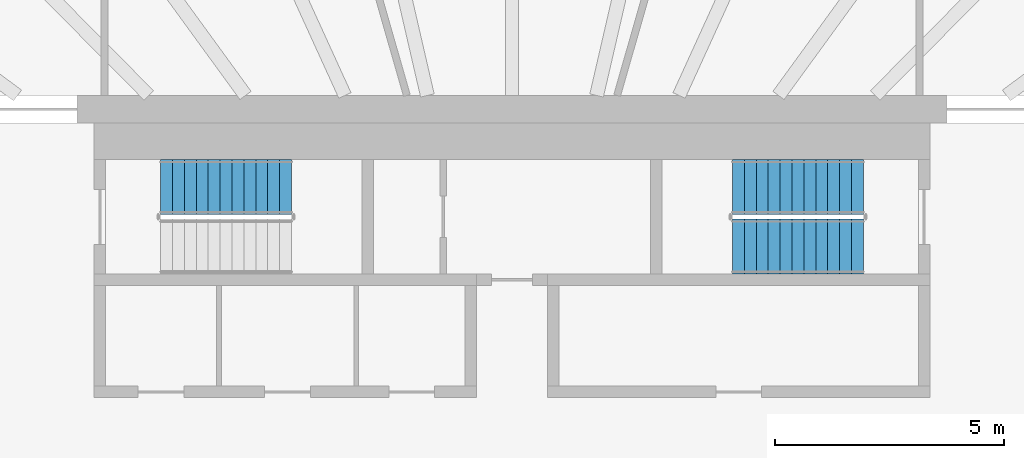
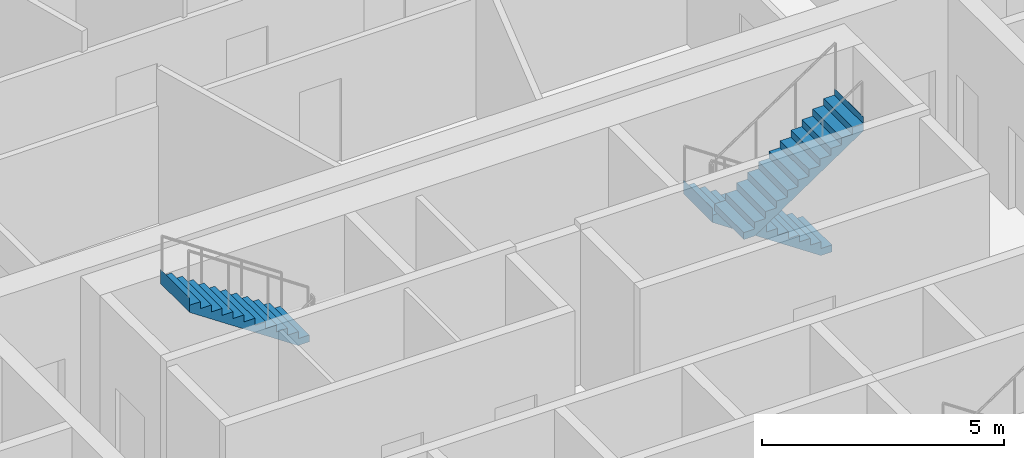
# One storey, part 20 of 26: 3 stair flights, 2 elements without a shape of their own.
"""IFC4 building model written with IfcOpenShell, lengths in metres."""

from ifc_helpers import new_model, si_unit, direction, frame, origin, place, context, subcontext, project, spatial, triangles, material, type_object, element, aggregate, save


model = new_model("IFC4")

# Units and contexts
model_context = context("Model", 3, precision=1e-05, world=origin(), true_north=direction((0.0, 1.0)))
body_context = subcontext(model_context, "Body", "Model", "MODEL_VIEW")
ifc_project = project(units=[si_unit("LENGTHUNIT", "METRE"), si_unit("AREAUNIT", "SQUARE_METRE"), si_unit("VOLUMEUNIT", "CUBIC_METRE"), si_unit("PLANEANGLEUNIT", "RADIAN"), si_unit("MASSUNIT", "GRAM", prefix="KILO")], contexts=[model_context])

# Site, building, storey
site_placement = place(None, origin())
site = spatial("IfcSite", under=ifc_project, at=site_placement, CompositionType="ELEMENT")
building_placement = place(site_placement, origin())
building = spatial("IfcBuilding", under=site, at=building_placement, Name="Sahrelin Media Tower", CompositionType="ELEMENT")
storey_placement = place(building_placement, frame((0.0, 0.0, 84.0)))
storey = spatial("IfcBuildingStorey", under=building, at=storey_placement, Name="L15", CompositionType="ELEMENT", Elevation=84.0)

# Stair, stair flight
ifc_material = material(Name="Concrete C40/50", Category="concrete")
stair_type = type_object("IfcStairType", Name="Exit stair 1200", PredefinedType="HALF_TURN_STAIR", material=ifc_material)
placement = place(storey_placement, origin())
stair_1 = element("IfcStair", 1, at=placement, inside=storey, type_object=stair_type, Name="L15 Exit stair ST1", PredefinedType="HALF_TURN_STAIR")
stair_flight_type = type_object("IfcStairFlightType", Name="Stair flight 1200", PredefinedType="STRAIGHT", material=ifc_material)
stair_flight_1_placement = place(storey_placement, frame((-4.81494140625, 6.0, 2.10009765625), z_axis=(0.0, 0.0, 1.0), x_axis=(-1.0, 0.0, 0.0)))
stair_flight_1 = element("IfcStairFlight", 2, at=stair_flight_1_placement, type_object=stair_flight_type, Name="ST1 flight 2", NumberOfRisers=12, NumberOfTreads=11, PredefinedType="STRAIGHT", RiserHeight=0.175, TreadLength=0.26, context=body_context, shape_type="Tessellation", body=[
    triangles([(0.2685546875, 0.60009765625, 0.0), (0.2685546875, 0.300048828125, 0.0), (0.2685546875, 0.0, 0.0), (0.2685546875, -0.300048828125, 0.0), (0.2685546875, -0.60009765625, 0.0), (2.860107421875, 0.60009765625, 1.744384765625), (2.860107421875, 0.300048828125, 1.744384765625), (2.860107421875, 0.0, 1.744384765625), (2.860107421875, -0.300048828125, 1.744384765625), (2.860107421875, -0.60009765625, 1.744384765625), (2.860107421875, 0.60009765625, 2.10009765625), (2.860107421875, 0.300048828125, 2.10009765625), (2.860107421875, 0.0, 2.10009765625), (2.860107421875, -0.300048828125, 2.10009765625), (2.860107421875, -0.60009765625, 2.10009765625), (2.85791015625, 0.60009765625, 2.10009765625), (2.85791015625, 0.300048828125, 2.10009765625), (2.85791015625, 0.0, 2.10009765625), (2.85791015625, -0.300048828125, 2.10009765625), (2.85791015625, -0.60009765625, 2.10009765625), (2.85791015625, 0.60009765625, 1.925048828125), (2.85791015625, 0.300048828125, 1.925048828125), (2.85791015625, 0.0, 1.925048828125), (2.85791015625, -0.300048828125, 1.925048828125), (2.85791015625, -0.60009765625, 1.925048828125), (2.60009765625, 0.60009765625, 1.925048828125), (2.60009765625, 0.300048828125, 1.925048828125), (2.60009765625, 0.0, 1.925048828125), (2.60009765625, -0.300048828125, 1.925048828125), (2.60009765625, -0.60009765625, 1.925048828125), (2.60009765625, 0.60009765625, 1.75), (2.60009765625, 0.300048828125, 1.75), (2.60009765625, 0.0, 1.75), (2.60009765625, -0.300048828125, 1.75), (2.60009765625, -0.60009765625, 1.75), (2.340087890625, 0.60009765625, 1.75), (2.340087890625, 0.300048828125, 1.75), (2.340087890625, 0.0, 1.75), (2.340087890625, -0.300048828125, 1.75), (2.340087890625, -0.60009765625, 1.75), (2.340087890625, 0.60009765625, 1.574951171875), (2.340087890625, 0.300048828125, 1.574951171875), (2.340087890625, 0.0, 1.574951171875), (2.340087890625, -0.300048828125, 1.574951171875), (2.340087890625, -0.60009765625, 1.574951171875), (2.080078125, 0.60009765625, 1.574951171875), (2.080078125, 0.300048828125, 1.574951171875), (2.080078125, 0.0, 1.574951171875), (2.080078125, -0.300048828125, 1.574951171875), (2.080078125, -0.60009765625, 1.574951171875), (2.080078125, 0.60009765625, 1.39990234375), (2.080078125, 0.300048828125, 1.39990234375), (2.080078125, 0.0, 1.39990234375), (2.080078125, -0.300048828125, 1.39990234375), (2.080078125, -0.60009765625, 1.39990234375), (1.820068359375, 0.60009765625, 1.39990234375), (1.820068359375, 0.300048828125, 1.39990234375), (1.820068359375, 0.0, 1.39990234375), (1.820068359375, -0.300048828125, 1.39990234375), (1.820068359375, -0.60009765625, 1.39990234375), (1.820068359375, 0.60009765625, 1.22509765625), (1.820068359375, 0.300048828125, 1.22509765625), (1.820068359375, 0.0, 1.22509765625), (1.820068359375, -0.300048828125, 1.22509765625), (1.820068359375, -0.60009765625, 1.22509765625), (1.56005859375, 0.60009765625, 1.22509765625), (1.56005859375, 0.300048828125, 1.22509765625), (1.56005859375, 0.0, 1.22509765625), (1.56005859375, -0.300048828125, 1.22509765625), (1.56005859375, -0.60009765625, 1.22509765625), (1.56005859375, 0.60009765625, 1.050048828125), (1.56005859375, 0.300048828125, 1.050048828125), (1.56005859375, 0.0, 1.050048828125), (1.56005859375, -0.300048828125, 1.050048828125), (1.56005859375, -0.60009765625, 1.050048828125), (1.300048828125, 0.60009765625, 1.050048828125), (1.300048828125, 0.300048828125, 1.050048828125), (1.300048828125, 0.0, 1.050048828125), (1.300048828125, -0.300048828125, 1.050048828125), (1.300048828125, -0.60009765625, 1.050048828125), (1.300048828125, 0.60009765625, 0.875), (1.300048828125, 0.300048828125, 0.875), (1.300048828125, 0.0, 0.875), (1.300048828125, -0.300048828125, 0.875), (1.300048828125, -0.60009765625, 0.875), (1.0400390625, 0.60009765625, 0.875), (1.0400390625, 0.300048828125, 0.875), (1.0400390625, 0.0, 0.875), (1.0400390625, -0.300048828125, 0.875), (1.0400390625, -0.60009765625, 0.875), (1.0400390625, 0.60009765625, 0.699951171875), (1.0400390625, 0.300048828125, 0.699951171875), (1.0400390625, 0.0, 0.699951171875), (1.0400390625, -0.300048828125, 0.699951171875), (1.0400390625, -0.60009765625, 0.699951171875), (0.780029296875, 0.60009765625, 0.699951171875), (0.780029296875, 0.300048828125, 0.699951171875), (0.780029296875, 0.0, 0.699951171875), (0.780029296875, -0.300048828125, 0.699951171875), (0.780029296875, -0.60009765625, 0.699951171875), (0.780029296875, 0.60009765625, 0.52490234375), (0.780029296875, 0.300048828125, 0.52490234375), (0.780029296875, 0.0, 0.52490234375), (0.780029296875, -0.300048828125, 0.52490234375), (0.780029296875, -0.60009765625, 0.52490234375), (0.52001953125, 0.60009765625, 0.52490234375), (0.52001953125, 0.300048828125, 0.52490234375), (0.52001953125, 0.0, 0.52490234375), (0.52001953125, -0.300048828125, 0.52490234375), (0.52001953125, -0.60009765625, 0.52490234375), (0.52001953125, 0.60009765625, 0.35009765625), (0.52001953125, 0.300048828125, 0.35009765625), (0.52001953125, 0.0, 0.35009765625), (0.52001953125, -0.300048828125, 0.35009765625), (0.52001953125, -0.60009765625, 0.35009765625), (0.260009765625, 0.60009765625, 0.35009765625), (0.260009765625, 0.300048828125, 0.35009765625), (0.260009765625, 0.0, 0.35009765625), (0.260009765625, -0.300048828125, 0.35009765625), (0.260009765625, -0.60009765625, 0.35009765625), (0.260009765625, 0.60009765625, 0.175048828125), (0.260009765625, 0.300048828125, 0.175048828125), (0.260009765625, 0.0, 0.175048828125), (0.260009765625, -0.300048828125, 0.175048828125), (0.260009765625, -0.60009765625, 0.175048828125), (0.0, 0.60009765625, 0.175048828125), (0.0, 0.300048828125, 0.175048828125), (0.0, 0.0, 0.175048828125), (0.0, -0.300048828125, 0.175048828125), (0.0, -0.60009765625, 0.175048828125), (0.0, 0.60009765625, 0.0), (0.0, 0.300048828125, 0.0), (0.0, 0.0, 0.0), (0.0, -0.300048828125, 0.0), (0.0, -0.60009765625, 0.0)], [[1, 6, 7], [1, 7, 2], [2, 7, 8], [2, 8, 3], [3, 8, 9], [3, 9, 4], [4, 9, 10], [4, 10, 5], [6, 11, 12], [6, 12, 7], [7, 12, 13], [7, 13, 8], [8, 13, 14], [8, 14, 9], [9, 14, 15], [9, 15, 10], [11, 16, 17], [11, 17, 12], [12, 17, 18], [12, 18, 13], [13, 18, 19], [13, 19, 14], [14, 19, 20], [14, 20, 15], [16, 21, 22], [16, 22, 17], [17, 22, 23], [17, 23, 18], [18, 23, 24], [18, 24, 19], [19, 24, 25], [19, 25, 20], [21, 26, 27], [21, 27, 22], [22, 27, 28], [22, 28, 23], [23, 28, 29], [23, 29, 24], [24, 29, 30], [24, 30, 25], [26, 31, 32], [26, 32, 27], [27, 32, 33], [27, 33, 28], [28, 33, 34], [28, 34, 29], [29, 34, 35], [29, 35, 30], [31, 36, 37], [31, 37, 32], [32, 37, 38], [32, 38, 33], [33, 38, 39], [33, 39, 34], [34, 39, 40], [34, 40, 35], [36, 41, 42], [36, 42, 37], [37, 42, 43], [37, 43, 38], [38, 43, 44], [38, 44, 39], [39, 44, 45], [39, 45, 40], [41, 46, 47], [41, 47, 42], [42, 47, 48], [42, 48, 43], [43, 48, 49], [43, 49, 44], [44, 49, 50], [44, 50, 45], [46, 51, 52], [46, 52, 47], [47, 52, 53], [47, 53, 48], [48, 53, 54], [48, 54, 49], [49, 54, 55], [49, 55, 50], [51, 56, 57], [51, 57, 52], [52, 57, 58], [52, 58, 53], [53, 58, 59], [53, 59, 54], [54, 59, 60], [54, 60, 55], [56, 61, 62], [56, 62, 57], [57, 62, 63], [57, 63, 58], [58, 63, 64], [58, 64, 59], [59, 64, 65], [59, 65, 60], [61, 66, 67], [61, 67, 62], [62, 67, 68], [62, 68, 63], [63, 68, 69], [63, 69, 64], [64, 69, 70], [64, 70, 65], [66, 71, 72], [66, 72, 67], [67, 72, 73], [67, 73, 68], [68, 73, 74], [68, 74, 69], [69, 74, 75], [69, 75, 70], [71, 76, 77], [71, 77, 72], [72, 77, 78], [72, 78, 73], [73, 78, 79], [73, 79, 74], [74, 79, 80], [74, 80, 75], [76, 81, 82], [76, 82, 77], [77, 82, 83], [77, 83, 78], [78, 83, 84], [78, 84, 79], [79, 84, 85], [79, 85, 80], [81, 86, 87], [81, 87, 82], [82, 87, 88], [82, 88, 83], [83, 88, 89], [83, 89, 84], [84, 89, 90], [84, 90, 85], [86, 91, 92], [86, 92, 87], [87, 92, 93], [87, 93, 88], [88, 93, 94], [88, 94, 89], [89, 94, 95], [89, 95, 90], [91, 96, 97], [91, 97, 92], [92, 97, 98], [92, 98, 93], [93, 98, 99], [93, 99, 94], [94, 99, 100], [94, 100, 95], [96, 101, 102], [96, 102, 97], [97, 102, 103], [97, 103, 98], [98, 103, 104], [98, 104, 99], [99, 104, 105], [99, 105, 100], [101, 106, 107], [101, 107, 102], [102, 107, 108], [102, 108, 103], [103, 108, 109], [103, 109, 104], [104, 109, 110], [104, 110, 105], [106, 111, 112], [106, 112, 107], [107, 112, 113], [107, 113, 108], [108, 113, 114], [108, 114, 109], [109, 114, 115], [109, 115, 110], [111, 116, 117], [111, 117, 112], [112, 117, 118], [112, 118, 113], [113, 118, 119], [113, 119, 114], [114, 119, 120], [114, 120, 115], [116, 121, 122], [116, 122, 117], [117, 122, 123], [117, 123, 118], [118, 123, 124], [118, 124, 119], [119, 124, 125], [119, 125, 120], [121, 126, 127], [121, 127, 122], [122, 127, 128], [122, 128, 123], [123, 128, 129], [123, 129, 124], [124, 129, 130], [124, 130, 125], [126, 131, 132], [126, 132, 127], [127, 132, 133], [127, 133, 128], [128, 133, 134], [128, 134, 129], [129, 134, 135], [129, 135, 130], [131, 1, 2], [131, 2, 132], [132, 2, 3], [132, 3, 133], [133, 3, 4], [133, 4, 134], [134, 4, 5], [134, 5, 135], [125, 130, 135], [121, 131, 126], [125, 115, 120], [121, 116, 111], [115, 105, 110], [111, 106, 101], [105, 95, 100], [101, 96, 91], [95, 85, 90], [91, 86, 81], [85, 75, 80], [81, 76, 71], [75, 65, 70], [71, 66, 61], [65, 55, 60], [61, 56, 51], [55, 45, 50], [51, 46, 41], [45, 35, 40], [41, 36, 31], [35, 25, 30], [31, 26, 21], [25, 15, 20], [21, 16, 11], [135, 5, 125], [131, 121, 1], [95, 105, 5], [91, 1, 101], [5, 10, 75], [1, 71, 6], [10, 35, 45], [6, 41, 31], [25, 10, 15], [21, 11, 6], [115, 125, 5], [111, 1, 121], [75, 85, 5], [71, 1, 81], [35, 10, 25], [31, 21, 6], [105, 115, 5], [101, 1, 111], [45, 55, 10], [41, 6, 51], [85, 95, 5], [81, 1, 91], [65, 10, 55], [61, 51, 6], [10, 65, 75], [6, 71, 61]], closed=True),
])
aggregate(stair_1, [stair_flight_1])

# Stair, stair flights
stair_2 = element("IfcStair", 3, at=placement, inside=storey, type_object=stair_type, Name="L15 Exit stair ST3", PredefinedType="HALF_TURN_STAIR")
stair_flight_2_placement = place(storey_placement, frame((7.675048828125, 6.0, 0.0), z_axis=(0.0, 0.0, 1.0), x_axis=(-1.0, 0.0, 0.0)))
stair_flight_2 = element("IfcStairFlight", 4, at=stair_flight_2_placement, type_object=stair_flight_type, Name="ST3 flight 1", NumberOfRisers=12, NumberOfTreads=11, PredefinedType="STRAIGHT", RiserHeight=0.175, TreadLength=0.26, context=body_context, shape_type="Tessellation", body=[
    triangles([(0.2685546875, 0.60009765625, 0.0), (0.2685546875, 0.300048828125, 0.0), (0.2685546875, 0.0, 0.0), (0.2685546875, -0.300048828125, 0.0), (0.2685546875, -0.60009765625, 0.0), (2.860107421875, 0.60009765625, 1.744384765625), (2.860107421875, 0.300048828125, 1.744384765625), (2.860107421875, 0.0, 1.744384765625), (2.860107421875, -0.300048828125, 1.744384765625), (2.860107421875, -0.60009765625, 1.744384765625), (2.860107421875, 0.60009765625, 2.10009765625), (2.860107421875, 0.300048828125, 2.10009765625), (2.860107421875, 0.0, 2.10009765625), (2.860107421875, -0.300048828125, 2.10009765625), (2.860107421875, -0.60009765625, 2.10009765625), (2.85791015625, 0.60009765625, 2.10009765625), (2.85791015625, 0.300048828125, 2.10009765625), (2.85791015625, 0.0, 2.10009765625), (2.85791015625, -0.300048828125, 2.10009765625), (2.85791015625, -0.60009765625, 2.10009765625), (2.85791015625, 0.60009765625, 1.925048828125), (2.85791015625, 0.300048828125, 1.925048828125), (2.85791015625, 0.0, 1.925048828125), (2.85791015625, -0.300048828125, 1.925048828125), (2.85791015625, -0.60009765625, 1.925048828125), (2.60009765625, 0.60009765625, 1.925048828125), (2.60009765625, 0.300048828125, 1.925048828125), (2.60009765625, 0.0, 1.925048828125), (2.60009765625, -0.300048828125, 1.925048828125), (2.60009765625, -0.60009765625, 1.925048828125), (2.60009765625, 0.60009765625, 1.75), (2.60009765625, 0.300048828125, 1.75), (2.60009765625, 0.0, 1.75), (2.60009765625, -0.300048828125, 1.75), (2.60009765625, -0.60009765625, 1.75), (2.340087890625, 0.60009765625, 1.75), (2.340087890625, 0.300048828125, 1.75), (2.340087890625, 0.0, 1.75), (2.340087890625, -0.300048828125, 1.75), (2.340087890625, -0.60009765625, 1.75), (2.340087890625, 0.60009765625, 1.574951171875), (2.340087890625, 0.300048828125, 1.574951171875), (2.340087890625, 0.0, 1.574951171875), (2.340087890625, -0.300048828125, 1.574951171875), (2.340087890625, -0.60009765625, 1.574951171875), (2.080078125, 0.60009765625, 1.574951171875), (2.080078125, 0.300048828125, 1.574951171875), (2.080078125, 0.0, 1.574951171875), (2.080078125, -0.300048828125, 1.574951171875), (2.080078125, -0.60009765625, 1.574951171875), (2.080078125, 0.60009765625, 1.39990234375), (2.080078125, 0.300048828125, 1.39990234375), (2.080078125, 0.0, 1.39990234375), (2.080078125, -0.300048828125, 1.39990234375), (2.080078125, -0.60009765625, 1.39990234375), (1.820068359375, 0.60009765625, 1.39990234375), (1.820068359375, 0.300048828125, 1.39990234375), (1.820068359375, 0.0, 1.39990234375), (1.820068359375, -0.300048828125, 1.39990234375), (1.820068359375, -0.60009765625, 1.39990234375), (1.820068359375, 0.60009765625, 1.22509765625), (1.820068359375, 0.300048828125, 1.22509765625), (1.820068359375, 0.0, 1.22509765625), (1.820068359375, -0.300048828125, 1.22509765625), (1.820068359375, -0.60009765625, 1.22509765625), (1.56005859375, 0.60009765625, 1.22509765625), (1.56005859375, 0.300048828125, 1.22509765625), (1.56005859375, 0.0, 1.22509765625), (1.56005859375, -0.300048828125, 1.22509765625), (1.56005859375, -0.60009765625, 1.22509765625), (1.56005859375, 0.60009765625, 1.050048828125), (1.56005859375, 0.300048828125, 1.050048828125), (1.56005859375, 0.0, 1.050048828125), (1.56005859375, -0.300048828125, 1.050048828125), (1.56005859375, -0.60009765625, 1.050048828125), (1.300048828125, 0.60009765625, 1.050048828125), (1.300048828125, 0.300048828125, 1.050048828125), (1.300048828125, 0.0, 1.050048828125), (1.300048828125, -0.300048828125, 1.050048828125), (1.300048828125, -0.60009765625, 1.050048828125), (1.300048828125, 0.60009765625, 0.875), (1.300048828125, 0.300048828125, 0.875), (1.300048828125, 0.0, 0.875), (1.300048828125, -0.300048828125, 0.875), (1.300048828125, -0.60009765625, 0.875), (1.0400390625, 0.60009765625, 0.875), (1.0400390625, 0.300048828125, 0.875), (1.0400390625, 0.0, 0.875), (1.0400390625, -0.300048828125, 0.875), (1.0400390625, -0.60009765625, 0.875), (1.0400390625, 0.60009765625, 0.699951171875), (1.0400390625, 0.300048828125, 0.699951171875), (1.0400390625, 0.0, 0.699951171875), (1.0400390625, -0.300048828125, 0.699951171875), (1.0400390625, -0.60009765625, 0.699951171875), (0.780029296875, 0.60009765625, 0.699951171875), (0.780029296875, 0.300048828125, 0.699951171875), (0.780029296875, 0.0, 0.699951171875), (0.780029296875, -0.300048828125, 0.699951171875), (0.780029296875, -0.60009765625, 0.699951171875), (0.780029296875, 0.60009765625, 0.52490234375), (0.780029296875, 0.300048828125, 0.52490234375), (0.780029296875, 0.0, 0.52490234375), (0.780029296875, -0.300048828125, 0.52490234375), (0.780029296875, -0.60009765625, 0.52490234375), (0.52001953125, 0.60009765625, 0.52490234375), (0.52001953125, 0.300048828125, 0.52490234375), (0.52001953125, 0.0, 0.52490234375), (0.52001953125, -0.300048828125, 0.52490234375), (0.52001953125, -0.60009765625, 0.52490234375), (0.52001953125, 0.60009765625, 0.35009765625), (0.52001953125, 0.300048828125, 0.35009765625), (0.52001953125, 0.0, 0.35009765625), (0.52001953125, -0.300048828125, 0.35009765625), (0.52001953125, -0.60009765625, 0.35009765625), (0.260009765625, 0.60009765625, 0.35009765625), (0.260009765625, 0.300048828125, 0.35009765625), (0.260009765625, 0.0, 0.35009765625), (0.260009765625, -0.300048828125, 0.35009765625), (0.260009765625, -0.60009765625, 0.35009765625), (0.260009765625, 0.60009765625, 0.175048828125), (0.260009765625, 0.300048828125, 0.175048828125), (0.260009765625, 0.0, 0.175048828125), (0.260009765625, -0.300048828125, 0.175048828125), (0.260009765625, -0.60009765625, 0.175048828125), (0.0, 0.60009765625, 0.175048828125), (0.0, 0.300048828125, 0.175048828125), (0.0, 0.0, 0.175048828125), (0.0, -0.300048828125, 0.175048828125), (0.0, -0.60009765625, 0.175048828125), (0.0, 0.60009765625, 0.0), (0.0, 0.300048828125, 0.0), (0.0, 0.0, 0.0), (0.0, -0.300048828125, 0.0), (0.0, -0.60009765625, 0.0)], [[1, 6, 7], [1, 7, 2], [2, 7, 8], [2, 8, 3], [3, 8, 9], [3, 9, 4], [4, 9, 10], [4, 10, 5], [6, 11, 12], [6, 12, 7], [7, 12, 13], [7, 13, 8], [8, 13, 14], [8, 14, 9], [9, 14, 15], [9, 15, 10], [11, 16, 17], [11, 17, 12], [12, 17, 18], [12, 18, 13], [13, 18, 19], [13, 19, 14], [14, 19, 20], [14, 20, 15], [16, 21, 22], [16, 22, 17], [17, 22, 23], [17, 23, 18], [18, 23, 24], [18, 24, 19], [19, 24, 25], [19, 25, 20], [21, 26, 27], [21, 27, 22], [22, 27, 28], [22, 28, 23], [23, 28, 29], [23, 29, 24], [24, 29, 30], [24, 30, 25], [26, 31, 32], [26, 32, 27], [27, 32, 33], [27, 33, 28], [28, 33, 34], [28, 34, 29], [29, 34, 35], [29, 35, 30], [31, 36, 37], [31, 37, 32], [32, 37, 38], [32, 38, 33], [33, 38, 39], [33, 39, 34], [34, 39, 40], [34, 40, 35], [36, 41, 42], [36, 42, 37], [37, 42, 43], [37, 43, 38], [38, 43, 44], [38, 44, 39], [39, 44, 45], [39, 45, 40], [41, 46, 47], [41, 47, 42], [42, 47, 48], [42, 48, 43], [43, 48, 49], [43, 49, 44], [44, 49, 50], [44, 50, 45], [46, 51, 52], [46, 52, 47], [47, 52, 53], [47, 53, 48], [48, 53, 54], [48, 54, 49], [49, 54, 55], [49, 55, 50], [51, 56, 57], [51, 57, 52], [52, 57, 58], [52, 58, 53], [53, 58, 59], [53, 59, 54], [54, 59, 60], [54, 60, 55], [56, 61, 62], [56, 62, 57], [57, 62, 63], [57, 63, 58], [58, 63, 64], [58, 64, 59], [59, 64, 65], [59, 65, 60], [61, 66, 67], [61, 67, 62], [62, 67, 68], [62, 68, 63], [63, 68, 69], [63, 69, 64], [64, 69, 70], [64, 70, 65], [66, 71, 72], [66, 72, 67], [67, 72, 73], [67, 73, 68], [68, 73, 74], [68, 74, 69], [69, 74, 75], [69, 75, 70], [71, 76, 77], [71, 77, 72], [72, 77, 78], [72, 78, 73], [73, 78, 79], [73, 79, 74], [74, 79, 80], [74, 80, 75], [76, 81, 82], [76, 82, 77], [77, 82, 83], [77, 83, 78], [78, 83, 84], [78, 84, 79], [79, 84, 85], [79, 85, 80], [81, 86, 87], [81, 87, 82], [82, 87, 88], [82, 88, 83], [83, 88, 89], [83, 89, 84], [84, 89, 90], [84, 90, 85], [86, 91, 92], [86, 92, 87], [87, 92, 93], [87, 93, 88], [88, 93, 94], [88, 94, 89], [89, 94, 95], [89, 95, 90], [91, 96, 97], [91, 97, 92], [92, 97, 98], [92, 98, 93], [93, 98, 99], [93, 99, 94], [94, 99, 100], [94, 100, 95], [96, 101, 102], [96, 102, 97], [97, 102, 103], [97, 103, 98], [98, 103, 104], [98, 104, 99], [99, 104, 105], [99, 105, 100], [101, 106, 107], [101, 107, 102], [102, 107, 108], [102, 108, 103], [103, 108, 109], [103, 109, 104], [104, 109, 110], [104, 110, 105], [106, 111, 112], [106, 112, 107], [107, 112, 113], [107, 113, 108], [108, 113, 114], [108, 114, 109], [109, 114, 115], [109, 115, 110], [111, 116, 117], [111, 117, 112], [112, 117, 118], [112, 118, 113], [113, 118, 119], [113, 119, 114], [114, 119, 120], [114, 120, 115], [116, 121, 122], [116, 122, 117], [117, 122, 123], [117, 123, 118], [118, 123, 124], [118, 124, 119], [119, 124, 125], [119, 125, 120], [121, 126, 127], [121, 127, 122], [122, 127, 128], [122, 128, 123], [123, 128, 129], [123, 129, 124], [124, 129, 130], [124, 130, 125], [126, 131, 132], [126, 132, 127], [127, 132, 133], [127, 133, 128], [128, 133, 134], [128, 134, 129], [129, 134, 135], [129, 135, 130], [131, 1, 2], [131, 2, 132], [132, 2, 3], [132, 3, 133], [133, 3, 4], [133, 4, 134], [134, 4, 5], [134, 5, 135], [125, 130, 135], [121, 131, 126], [125, 115, 120], [121, 116, 111], [115, 105, 110], [111, 106, 101], [105, 95, 100], [101, 96, 91], [95, 85, 90], [91, 86, 81], [85, 75, 80], [81, 76, 71], [75, 65, 70], [71, 66, 61], [65, 55, 60], [61, 56, 51], [55, 45, 50], [51, 46, 41], [45, 35, 40], [41, 36, 31], [35, 25, 30], [31, 26, 21], [25, 15, 20], [21, 16, 11], [135, 5, 125], [131, 121, 1], [95, 105, 5], [91, 1, 101], [5, 10, 75], [1, 71, 6], [10, 35, 45], [6, 41, 31], [25, 10, 15], [21, 11, 6], [115, 125, 5], [111, 1, 121], [75, 85, 5], [71, 1, 81], [35, 10, 25], [31, 21, 6], [105, 115, 5], [101, 1, 111], [45, 55, 10], [41, 6, 51], [85, 95, 5], [81, 1, 91], [65, 10, 55], [61, 51, 6], [10, 65, 75], [6, 71, 61]], closed=True),
])
stair_flight_3_placement = place(storey_placement, frame((4.81494140625, 4.699951171875, 2.10009765625), z_axis=(0.0, 0.0, 1.0), x_axis=(1.0, 0.0, 0.0)))
stair_flight_3 = element("IfcStairFlight", 5, at=stair_flight_3_placement, type_object=stair_flight_type, Name="ST3 flight 2", NumberOfRisers=12, NumberOfTreads=11, PredefinedType="STRAIGHT", RiserHeight=0.175, TreadLength=0.26, context=body_context, shape_type="Tessellation", body=[
    triangles([(0.2685546875, 0.60009765625, 0.0), (0.2685546875, 0.300048828125, 0.0), (0.2685546875, 0.0, 0.0), (0.2685546875, -0.300048828125, 0.0), (0.2685546875, -0.60009765625, 0.0), (2.860107421875, 0.60009765625, 1.744384765625), (2.860107421875, 0.300048828125, 1.744384765625), (2.860107421875, 0.0, 1.744384765625), (2.860107421875, -0.300048828125, 1.744384765625), (2.860107421875, -0.60009765625, 1.744384765625), (2.860107421875, 0.60009765625, 2.10009765625), (2.860107421875, 0.300048828125, 2.10009765625), (2.860107421875, 0.0, 2.10009765625), (2.860107421875, -0.300048828125, 2.10009765625), (2.860107421875, -0.60009765625, 2.10009765625), (2.85791015625, 0.60009765625, 2.10009765625), (2.85791015625, 0.300048828125, 2.10009765625), (2.85791015625, 0.0, 2.10009765625), (2.85791015625, -0.300048828125, 2.10009765625), (2.85791015625, -0.60009765625, 2.10009765625), (2.85791015625, 0.60009765625, 1.925048828125), (2.85791015625, 0.300048828125, 1.925048828125), (2.85791015625, 0.0, 1.925048828125), (2.85791015625, -0.300048828125, 1.925048828125), (2.85791015625, -0.60009765625, 1.925048828125), (2.60009765625, 0.60009765625, 1.925048828125), (2.60009765625, 0.300048828125, 1.925048828125), (2.60009765625, 0.0, 1.925048828125), (2.60009765625, -0.300048828125, 1.925048828125), (2.60009765625, -0.60009765625, 1.925048828125), (2.60009765625, 0.60009765625, 1.75), (2.60009765625, 0.300048828125, 1.75), (2.60009765625, 0.0, 1.75), (2.60009765625, -0.300048828125, 1.75), (2.60009765625, -0.60009765625, 1.75), (2.340087890625, 0.60009765625, 1.75), (2.340087890625, 0.300048828125, 1.75), (2.340087890625, 0.0, 1.75), (2.340087890625, -0.300048828125, 1.75), (2.340087890625, -0.60009765625, 1.75), (2.340087890625, 0.60009765625, 1.574951171875), (2.340087890625, 0.300048828125, 1.574951171875), (2.340087890625, 0.0, 1.574951171875), (2.340087890625, -0.300048828125, 1.574951171875), (2.340087890625, -0.60009765625, 1.574951171875), (2.080078125, 0.60009765625, 1.574951171875), (2.080078125, 0.300048828125, 1.574951171875), (2.080078125, 0.0, 1.574951171875), (2.080078125, -0.300048828125, 1.574951171875), (2.080078125, -0.60009765625, 1.574951171875), (2.080078125, 0.60009765625, 1.39990234375), (2.080078125, 0.300048828125, 1.39990234375), (2.080078125, 0.0, 1.39990234375), (2.080078125, -0.300048828125, 1.39990234375), (2.080078125, -0.60009765625, 1.39990234375), (1.820068359375, 0.60009765625, 1.39990234375), (1.820068359375, 0.300048828125, 1.39990234375), (1.820068359375, 0.0, 1.39990234375), (1.820068359375, -0.300048828125, 1.39990234375), (1.820068359375, -0.60009765625, 1.39990234375), (1.820068359375, 0.60009765625, 1.22509765625), (1.820068359375, 0.300048828125, 1.22509765625), (1.820068359375, 0.0, 1.22509765625), (1.820068359375, -0.300048828125, 1.22509765625), (1.820068359375, -0.60009765625, 1.22509765625), (1.56005859375, 0.60009765625, 1.22509765625), (1.56005859375, 0.300048828125, 1.22509765625), (1.56005859375, 0.0, 1.22509765625), (1.56005859375, -0.300048828125, 1.22509765625), (1.56005859375, -0.60009765625, 1.22509765625), (1.56005859375, 0.60009765625, 1.050048828125), (1.56005859375, 0.300048828125, 1.050048828125), (1.56005859375, 0.0, 1.050048828125), (1.56005859375, -0.300048828125, 1.050048828125), (1.56005859375, -0.60009765625, 1.050048828125), (1.300048828125, 0.60009765625, 1.050048828125), (1.300048828125, 0.300048828125, 1.050048828125), (1.300048828125, 0.0, 1.050048828125), (1.300048828125, -0.300048828125, 1.050048828125), (1.300048828125, -0.60009765625, 1.050048828125), (1.300048828125, 0.60009765625, 0.875), (1.300048828125, 0.300048828125, 0.875), (1.300048828125, 0.0, 0.875), (1.300048828125, -0.300048828125, 0.875), (1.300048828125, -0.60009765625, 0.875), (1.0400390625, 0.60009765625, 0.875), (1.0400390625, 0.300048828125, 0.875), (1.0400390625, 0.0, 0.875), (1.0400390625, -0.300048828125, 0.875), (1.0400390625, -0.60009765625, 0.875), (1.0400390625, 0.60009765625, 0.699951171875), (1.0400390625, 0.300048828125, 0.699951171875), (1.0400390625, 0.0, 0.699951171875), (1.0400390625, -0.300048828125, 0.699951171875), (1.0400390625, -0.60009765625, 0.699951171875), (0.780029296875, 0.60009765625, 0.699951171875), (0.780029296875, 0.300048828125, 0.699951171875), (0.780029296875, 0.0, 0.699951171875), (0.780029296875, -0.300048828125, 0.699951171875), (0.780029296875, -0.60009765625, 0.699951171875), (0.780029296875, 0.60009765625, 0.52490234375), (0.780029296875, 0.300048828125, 0.52490234375), (0.780029296875, 0.0, 0.52490234375), (0.780029296875, -0.300048828125, 0.52490234375), (0.780029296875, -0.60009765625, 0.52490234375), (0.52001953125, 0.60009765625, 0.52490234375), (0.52001953125, 0.300048828125, 0.52490234375), (0.52001953125, 0.0, 0.52490234375), (0.52001953125, -0.300048828125, 0.52490234375), (0.52001953125, -0.60009765625, 0.52490234375), (0.52001953125, 0.60009765625, 0.35009765625), (0.52001953125, 0.300048828125, 0.35009765625), (0.52001953125, 0.0, 0.35009765625), (0.52001953125, -0.300048828125, 0.35009765625), (0.52001953125, -0.60009765625, 0.35009765625), (0.260009765625, 0.60009765625, 0.35009765625), (0.260009765625, 0.300048828125, 0.35009765625), (0.260009765625, 0.0, 0.35009765625), (0.260009765625, -0.300048828125, 0.35009765625), (0.260009765625, -0.60009765625, 0.35009765625), (0.260009765625, 0.60009765625, 0.175048828125), (0.260009765625, 0.300048828125, 0.175048828125), (0.260009765625, 0.0, 0.175048828125), (0.260009765625, -0.300048828125, 0.175048828125), (0.260009765625, -0.60009765625, 0.175048828125), (0.0, 0.60009765625, 0.175048828125), (0.0, 0.300048828125, 0.175048828125), (0.0, 0.0, 0.175048828125), (0.0, -0.300048828125, 0.175048828125), (0.0, -0.60009765625, 0.175048828125), (0.0, 0.60009765625, 0.0), (0.0, 0.300048828125, 0.0), (0.0, 0.0, 0.0), (0.0, -0.300048828125, 0.0), (0.0, -0.60009765625, 0.0)], [[1, 6, 7], [1, 7, 2], [2, 7, 8], [2, 8, 3], [3, 8, 9], [3, 9, 4], [4, 9, 10], [4, 10, 5], [6, 11, 12], [6, 12, 7], [7, 12, 13], [7, 13, 8], [8, 13, 14], [8, 14, 9], [9, 14, 15], [9, 15, 10], [11, 16, 17], [11, 17, 12], [12, 17, 18], [12, 18, 13], [13, 18, 19], [13, 19, 14], [14, 19, 20], [14, 20, 15], [16, 21, 22], [16, 22, 17], [17, 22, 23], [17, 23, 18], [18, 23, 24], [18, 24, 19], [19, 24, 25], [19, 25, 20], [21, 26, 27], [21, 27, 22], [22, 27, 28], [22, 28, 23], [23, 28, 29], [23, 29, 24], [24, 29, 30], [24, 30, 25], [26, 31, 32], [26, 32, 27], [27, 32, 33], [27, 33, 28], [28, 33, 34], [28, 34, 29], [29, 34, 35], [29, 35, 30], [31, 36, 37], [31, 37, 32], [32, 37, 38], [32, 38, 33], [33, 38, 39], [33, 39, 34], [34, 39, 40], [34, 40, 35], [36, 41, 42], [36, 42, 37], [37, 42, 43], [37, 43, 38], [38, 43, 44], [38, 44, 39], [39, 44, 45], [39, 45, 40], [41, 46, 47], [41, 47, 42], [42, 47, 48], [42, 48, 43], [43, 48, 49], [43, 49, 44], [44, 49, 50], [44, 50, 45], [46, 51, 52], [46, 52, 47], [47, 52, 53], [47, 53, 48], [48, 53, 54], [48, 54, 49], [49, 54, 55], [49, 55, 50], [51, 56, 57], [51, 57, 52], [52, 57, 58], [52, 58, 53], [53, 58, 59], [53, 59, 54], [54, 59, 60], [54, 60, 55], [56, 61, 62], [56, 62, 57], [57, 62, 63], [57, 63, 58], [58, 63, 64], [58, 64, 59], [59, 64, 65], [59, 65, 60], [61, 66, 67], [61, 67, 62], [62, 67, 68], [62, 68, 63], [63, 68, 69], [63, 69, 64], [64, 69, 70], [64, 70, 65], [66, 71, 72], [66, 72, 67], [67, 72, 73], [67, 73, 68], [68, 73, 74], [68, 74, 69], [69, 74, 75], [69, 75, 70], [71, 76, 77], [71, 77, 72], [72, 77, 78], [72, 78, 73], [73, 78, 79], [73, 79, 74], [74, 79, 80], [74, 80, 75], [76, 81, 82], [76, 82, 77], [77, 82, 83], [77, 83, 78], [78, 83, 84], [78, 84, 79], [79, 84, 85], [79, 85, 80], [81, 86, 87], [81, 87, 82], [82, 87, 88], [82, 88, 83], [83, 88, 89], [83, 89, 84], [84, 89, 90], [84, 90, 85], [86, 91, 92], [86, 92, 87], [87, 92, 93], [87, 93, 88], [88, 93, 94], [88, 94, 89], [89, 94, 95], [89, 95, 90], [91, 96, 97], [91, 97, 92], [92, 97, 98], [92, 98, 93], [93, 98, 99], [93, 99, 94], [94, 99, 100], [94, 100, 95], [96, 101, 102], [96, 102, 97], [97, 102, 103], [97, 103, 98], [98, 103, 104], [98, 104, 99], [99, 104, 105], [99, 105, 100], [101, 106, 107], [101, 107, 102], [102, 107, 108], [102, 108, 103], [103, 108, 109], [103, 109, 104], [104, 109, 110], [104, 110, 105], [106, 111, 112], [106, 112, 107], [107, 112, 113], [107, 113, 108], [108, 113, 114], [108, 114, 109], [109, 114, 115], [109, 115, 110], [111, 116, 117], [111, 117, 112], [112, 117, 118], [112, 118, 113], [113, 118, 119], [113, 119, 114], [114, 119, 120], [114, 120, 115], [116, 121, 122], [116, 122, 117], [117, 122, 123], [117, 123, 118], [118, 123, 124], [118, 124, 119], [119, 124, 125], [119, 125, 120], [121, 126, 127], [121, 127, 122], [122, 127, 128], [122, 128, 123], [123, 128, 129], [123, 129, 124], [124, 129, 130], [124, 130, 125], [126, 131, 132], [126, 132, 127], [127, 132, 133], [127, 133, 128], [128, 133, 134], [128, 134, 129], [129, 134, 135], [129, 135, 130], [131, 1, 2], [131, 2, 132], [132, 2, 3], [132, 3, 133], [133, 3, 4], [133, 4, 134], [134, 4, 5], [134, 5, 135], [125, 130, 135], [121, 131, 126], [125, 115, 120], [121, 116, 111], [115, 105, 110], [111, 106, 101], [105, 95, 100], [101, 96, 91], [95, 85, 90], [91, 86, 81], [85, 75, 80], [81, 76, 71], [75, 65, 70], [71, 66, 61], [65, 55, 60], [61, 56, 51], [55, 45, 50], [51, 46, 41], [45, 35, 40], [41, 36, 31], [35, 25, 30], [31, 26, 21], [25, 15, 20], [21, 16, 11], [135, 5, 125], [131, 121, 1], [95, 105, 5], [91, 1, 101], [5, 10, 75], [1, 71, 6], [10, 35, 45], [6, 41, 31], [25, 10, 15], [21, 11, 6], [115, 125, 5], [111, 1, 121], [75, 85, 5], [71, 1, 81], [35, 10, 25], [31, 21, 6], [105, 115, 5], [101, 1, 111], [45, 55, 10], [41, 6, 51], [85, 95, 5], [81, 1, 91], [65, 10, 55], [61, 51, 6], [10, 65, 75], [6, 71, 61]], closed=True),
])
aggregate(stair_2, [stair_flight_2, stair_flight_3])

save(model, "model.ifc")
